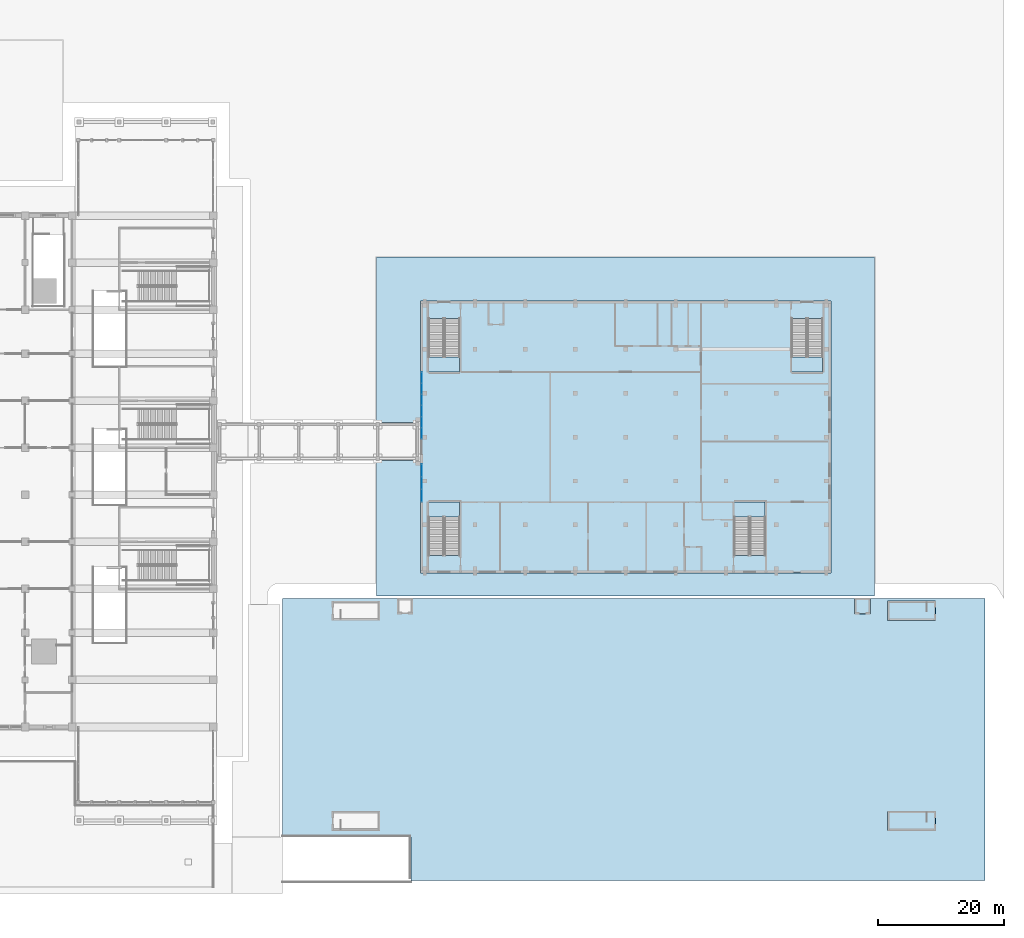
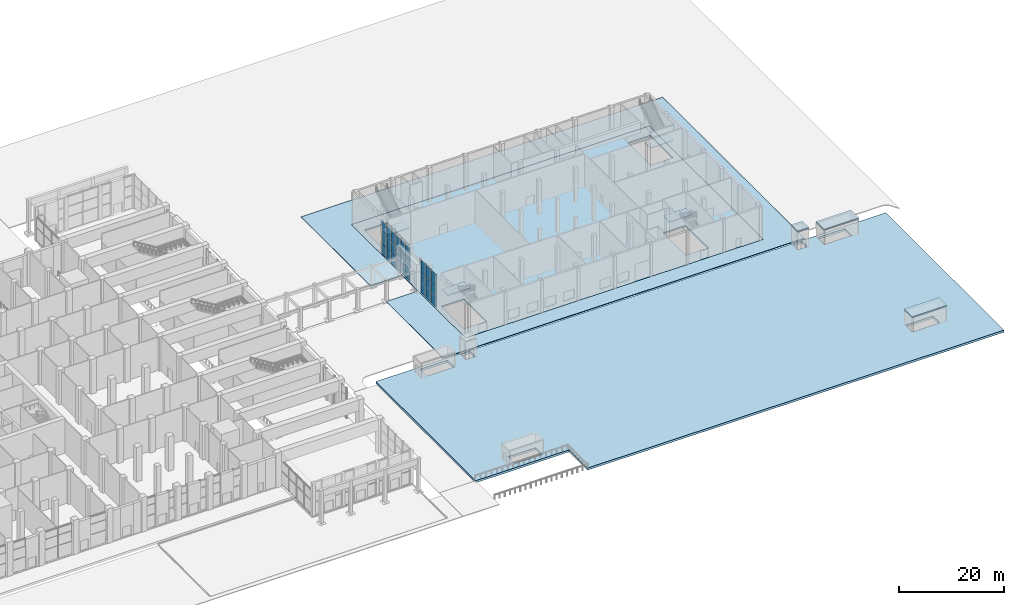
# One storey, part 23 of 57: 27 plates, 10 slabs, 6 elements without a shape of their own.
"""IFC4 building model written with IfcOpenShell, lengths in metres."""

from ifc_helpers import new_model, si_unit, direction, frame, origin, origin_2d, place, context, subcontext, project, spatial, polyline, rectangle, outline, extrude, material, layer, layer_set, type_object, element, aggregate, save


model = new_model("IFC4")

# Units and contexts
model_context = context("Model", 3, precision=1e-05, world=origin(), true_north=direction((0.0, 1.0)))
body_context = subcontext(model_context, "Body", "Model", "MODEL_VIEW")
ifc_project = project(units=[si_unit("LENGTHUNIT", "METRE"), si_unit("AREAUNIT", "SQUARE_METRE"), si_unit("VOLUMEUNIT", "CUBIC_METRE"), si_unit("PLANEANGLEUNIT", "RADIAN"), si_unit("MASSUNIT", "GRAM", prefix="KILO")], contexts=[model_context])

# Site, building, storey
site_placement = place(None, origin())
site = spatial("IfcSite", under=ifc_project, at=site_placement, CompositionType="ELEMENT")
building_placement = place(site_placement, origin())
building = spatial("IfcBuilding", under=site, at=building_placement, Name="Tamorin Gate", CompositionType="ELEMENT")
storey_placement = place(building_placement, origin())
storey = spatial("IfcBuildingStorey", under=building, at=storey_placement, Name="L00", CompositionType="ELEMENT", Elevation=0.0)

# Slabs
ifc_material_1 = material(Name="Concrete C40/50", Category="concrete")
ifc_layer_1 = layer(ifc_material_1, 0.300048828125)
ifc_layer_set_1 = layer_set([ifc_layer_1], Name="Head-house roof slab 300 C40/50")
slab_type_1 = type_object("IfcSlabType", Name="Head-house roof slab 300 C40/50", PredefinedType="ROOF", material=ifc_layer_set_1)
slab_1_placement = place(storey_placement, frame((0.0, 0.0, 3.39990234375)))
element("IfcSlab", 1, at=slab_1_placement, inside=storey, type_object=slab_type_1, Name="Stair head-house roof", PredefinedType="ROOF", context=body_context, shape_type="SweptSolid", body=[
    extrude(outline(polyline([(227.10009765625, 14.0), (227.10009765625, 17.050048828125), (219.43994140625, 17.050048828125), (219.43994140625, 14.0), (227.10009765625, 14.0)])), origin(), (0.0, 0.0, 1.0), 0.300048828125),
])
slab_2_placement = place(storey_placement, frame((0.0, 0.0, 3.39990234375)))
element("IfcSlab", 2, at=slab_2_placement, inside=storey, type_object=slab_type_1, Name="Stair head-house roof", PredefinedType="ROOF", context=body_context, shape_type="SweptSolid", body=[
    extrude(outline(polyline([(227.10009765625, 47.5), (227.10009765625, 50.550048828125), (219.43994140625, 50.550048828125), (219.43994140625, 47.5), (227.10009765625, 47.5)])), origin(), (0.0, 0.0, 1.0), 0.300048828125),
])
slab_3_placement = place(storey_placement, frame((0.0, 0.0, 4.199951171875)))
element("IfcSlab", 3, at=slab_3_placement, inside=storey, type_object=slab_type_1, Name="Lift overrun roof", PredefinedType="ROOF", context=body_context, shape_type="SweptSolid", body=[
    extrude(outline(polyline([(216.699951171875, 48.5), (216.699951171875, 51.0), (214.199951171875, 51.0), (214.199951171875, 48.5), (216.699951171875, 48.5)])), origin(), (0.0, 0.0, 1.0), 0.300048828125),
])

# Curtain wall, plates
ifc_material_2 = material(Name="Aluminium and glass", Category="aluminium")
curtain_wall_type = type_object("IfcCurtainWallType", Name="Museum atrium curtain wall", PredefinedType="NOTDEFINED", material=ifc_material_2)
curtain_wall_1_placement = place(storey_placement, origin())
curtain_wall_1 = element("IfcCurtainWall", 4, at=curtain_wall_1_placement, inside=storey, type_object=curtain_wall_type, Name="Museum atrium glazing", PredefinedType="NOTDEFINED")
ifc_material_3 = material(Name="Laminated glass", Category="glass")
ifc_layer_2 = layer(ifc_material_3, 0.028076171875)
ifc_layer_set_2 = layer_set([ifc_layer_2], Name="Museum glazing panel 28")
plate_type = type_object("IfcPlateType", Name="Museum glazing panel 28", PredefinedType="CURTAIN_PANEL", material=ifc_layer_set_2)
plate_1_placement = place(storey_placement, frame((145.199951171875, 67.356689453125, 0.06005859375), z_axis=(0.0, 0.0, 1.0), x_axis=(0.0, 1.0, 0.0)))
plate_1 = element("IfcPlate", 5, at=plate_1_placement, type_object=plate_type, Name="CWM1 panel 1.1", PredefinedType="CURTAIN_PANEL", context=body_context, shape_type="SweptSolid", body=[
    extrude(rectangle(XDim=1.933349609375, YDim=0.028076171875, at=origin_2d()), origin(), (0.0, 0.0, 1.0), 2.31005859375),
])
plate_2_placement = place(storey_placement, frame((145.199951171875, 67.356689453125, 2.43017578125), z_axis=(0.0, 0.0, 1.0), x_axis=(0.0, 1.0, 0.0)))
plate_2 = element("IfcPlate", 6, at=plate_2_placement, type_object=plate_type, Name="CWM1 panel 1.2", PredefinedType="CURTAIN_PANEL", context=body_context, shape_type="SweptSolid", body=[
    extrude(rectangle(XDim=1.933349609375, YDim=0.028076171875, at=origin_2d()), origin(), (0.0, 0.0, 1.0), 2.340087890625),
])
plate_3_placement = place(storey_placement, frame((145.199951171875, 67.356689453125, 4.830078125), z_axis=(0.0, 0.0, 1.0), x_axis=(0.0, 1.0, 0.0)))
plate_3 = element("IfcPlate", 7, at=plate_3_placement, type_object=plate_type, Name="CWM1 panel 1.3", PredefinedType="CURTAIN_PANEL", context=body_context, shape_type="SweptSolid", body=[
    extrude(rectangle(XDim=1.933349609375, YDim=0.028076171875, at=origin_2d()), origin(), (0.0, 0.0, 1.0), 2.81005859375),
])
plate_4_placement = place(storey_placement, frame((145.199951171875, 69.364990234375, 0.06005859375), z_axis=(0.0, 0.0, 1.0), x_axis=(0.0, 1.0, 0.0)))
plate_4 = element("IfcPlate", 8, at=plate_4_placement, type_object=plate_type, Name="CWM1 panel 2.1", PredefinedType="CURTAIN_PANEL", context=body_context, shape_type="SweptSolid", body=[
    extrude(rectangle(XDim=1.96337890625, YDim=0.028076171875, at=origin_2d()), origin(), (0.0, 0.0, 1.0), 2.31005859375),
])
plate_5_placement = place(storey_placement, frame((145.199951171875, 69.364990234375, 2.43017578125), z_axis=(0.0, 0.0, 1.0), x_axis=(0.0, 1.0, 0.0)))
plate_5 = element("IfcPlate", 9, at=plate_5_placement, type_object=plate_type, Name="CWM1 panel 2.2", PredefinedType="CURTAIN_PANEL", context=body_context, shape_type="SweptSolid", body=[
    extrude(rectangle(XDim=1.96337890625, YDim=0.028076171875, at=origin_2d()), origin(), (0.0, 0.0, 1.0), 2.340087890625),
])
plate_6_placement = place(storey_placement, frame((145.199951171875, 69.364990234375, 4.830078125), z_axis=(0.0, 0.0, 1.0), x_axis=(0.0, 1.0, 0.0)))
plate_6 = element("IfcPlate", 10, at=plate_6_placement, type_object=plate_type, Name="CWM1 panel 2.3", PredefinedType="CURTAIN_PANEL", context=body_context, shape_type="SweptSolid", body=[
    extrude(rectangle(XDim=1.96337890625, YDim=0.028076171875, at=origin_2d()), origin(), (0.0, 0.0, 1.0), 2.81005859375),
])
plate_7_placement = place(storey_placement, frame((145.199951171875, 71.373291015625, 0.06005859375), z_axis=(0.0, 0.0, 1.0), x_axis=(0.0, 1.0, 0.0)))
plate_7 = element("IfcPlate", 11, at=plate_7_placement, type_object=plate_type, Name="CWM1 panel 3.1", PredefinedType="CURTAIN_PANEL", context=body_context, shape_type="SweptSolid", body=[
    extrude(rectangle(XDim=1.933349609375, YDim=0.028076171875, at=origin_2d()), origin(), (0.0, 0.0, 1.0), 2.31005859375),
])
plate_8_placement = place(storey_placement, frame((145.199951171875, 71.373291015625, 2.43017578125), z_axis=(0.0, 0.0, 1.0), x_axis=(0.0, 1.0, 0.0)))
plate_8 = element("IfcPlate", 12, at=plate_8_placement, type_object=plate_type, Name="CWM1 panel 3.2", PredefinedType="CURTAIN_PANEL", context=body_context, shape_type="SweptSolid", body=[
    extrude(rectangle(XDim=1.933349609375, YDim=0.028076171875, at=origin_2d()), origin(), (0.0, 0.0, 1.0), 2.340087890625),
])
plate_9_placement = place(storey_placement, frame((145.199951171875, 71.373291015625, 4.830078125), z_axis=(0.0, 0.0, 1.0), x_axis=(0.0, 1.0, 0.0)))
plate_9 = element("IfcPlate", 13, at=plate_9_placement, type_object=plate_type, Name="CWM1 panel 3.3", PredefinedType="CURTAIN_PANEL", context=body_context, shape_type="SweptSolid", body=[
    extrude(rectangle(XDim=1.933349609375, YDim=0.028076171875, at=origin_2d()), origin(), (0.0, 0.0, 1.0), 2.81005859375),
])
aggregate(curtain_wall_1, [plate_1, plate_2, plate_3, plate_4, plate_5, plate_6, plate_7, plate_8, plate_9])

curtain_wall_2_placement = place(storey_placement, origin())
curtain_wall_2 = element("IfcCurtainWall", 14, at=curtain_wall_2_placement, inside=storey, type_object=curtain_wall_type, Name="Museum atrium glazing", PredefinedType="NOTDEFINED")
plate_10_placement = place(storey_placement, frame((145.199951171875, 77.30419921875, 0.06005859375), z_axis=(0.0, 0.0, 1.0), x_axis=(0.0, 1.0, 0.0)))
plate_10 = element("IfcPlate", 15, at=plate_10_placement, type_object=plate_type, Name="CWM2 panel 1.1", PredefinedType="CURTAIN_PANEL", context=body_context, shape_type="SweptSolid", body=[
    extrude(rectangle(XDim=1.688232421875, YDim=0.028076171875, at=origin_2d()), origin(), (0.0, 0.0, 1.0), 2.31005859375),
])
plate_11_placement = place(storey_placement, frame((145.199951171875, 77.30419921875, 2.43017578125), z_axis=(0.0, 0.0, 1.0), x_axis=(0.0, 1.0, 0.0)))
plate_11 = element("IfcPlate", 16, at=plate_11_placement, type_object=plate_type, Name="CWM2 panel 1.2", PredefinedType="CURTAIN_PANEL", context=body_context, shape_type="SweptSolid", body=[
    extrude(rectangle(XDim=1.688232421875, YDim=0.028076171875, at=origin_2d()), origin(), (0.0, 0.0, 1.0), 2.340087890625),
])
plate_12_placement = place(storey_placement, frame((145.199951171875, 77.30419921875, 4.830078125), z_axis=(0.0, 0.0, 1.0), x_axis=(0.0, 1.0, 0.0)))
plate_12 = element("IfcPlate", 17, at=plate_12_placement, type_object=plate_type, Name="CWM2 panel 1.3", PredefinedType="CURTAIN_PANEL", context=body_context, shape_type="SweptSolid", body=[
    extrude(rectangle(XDim=1.688232421875, YDim=0.028076171875, at=origin_2d()), origin(), (0.0, 0.0, 1.0), 2.81005859375),
])
plate_13_placement = place(storey_placement, frame((145.199951171875, 79.0673828125, 0.06005859375), z_axis=(0.0, 0.0, 1.0), x_axis=(0.0, 1.0, 0.0)))
plate_13 = element("IfcPlate", 18, at=plate_13_placement, type_object=plate_type, Name="CWM2 panel 2.1", PredefinedType="CURTAIN_PANEL", context=body_context, shape_type="SweptSolid", body=[
    extrude(rectangle(XDim=1.71826171875, YDim=0.028076171875, at=origin_2d()), origin(), (0.0, 0.0, 1.0), 2.31005859375),
])
plate_14_placement = place(storey_placement, frame((145.199951171875, 79.0673828125, 2.43017578125), z_axis=(0.0, 0.0, 1.0), x_axis=(0.0, 1.0, 0.0)))
plate_14 = element("IfcPlate", 19, at=plate_14_placement, type_object=plate_type, Name="CWM2 panel 2.2", PredefinedType="CURTAIN_PANEL", context=body_context, shape_type="SweptSolid", body=[
    extrude(rectangle(XDim=1.71826171875, YDim=0.028076171875, at=origin_2d()), origin(), (0.0, 0.0, 1.0), 2.340087890625),
])
plate_15_placement = place(storey_placement, frame((145.199951171875, 79.0673828125, 4.830078125), z_axis=(0.0, 0.0, 1.0), x_axis=(0.0, 1.0, 0.0)))
plate_15 = element("IfcPlate", 20, at=plate_15_placement, type_object=plate_type, Name="CWM2 panel 2.3", PredefinedType="CURTAIN_PANEL", context=body_context, shape_type="SweptSolid", body=[
    extrude(rectangle(XDim=1.71826171875, YDim=0.028076171875, at=origin_2d()), origin(), (0.0, 0.0, 1.0), 2.81005859375),
])
plate_16_placement = place(storey_placement, frame((145.199951171875, 80.845947265625, 0.06005859375), z_axis=(0.0, 0.0, 1.0), x_axis=(0.0, 1.0, 0.0)))
plate_16 = element("IfcPlate", 21, at=plate_16_placement, type_object=plate_type, Name="CWM2 panel 3.1", PredefinedType="CURTAIN_PANEL", context=body_context, shape_type="SweptSolid", body=[
    extrude(rectangle(XDim=1.71826171875, YDim=0.028076171875, at=origin_2d()), origin(), (0.0, 0.0, 1.0), 2.31005859375),
])
plate_17_placement = place(storey_placement, frame((145.199951171875, 80.845947265625, 2.43017578125), z_axis=(0.0, 0.0, 1.0), x_axis=(0.0, 1.0, 0.0)))
plate_17 = element("IfcPlate", 22, at=plate_17_placement, type_object=plate_type, Name="CWM2 panel 3.2", PredefinedType="CURTAIN_PANEL", context=body_context, shape_type="SweptSolid", body=[
    extrude(rectangle(XDim=1.71826171875, YDim=0.028076171875, at=origin_2d()), origin(), (0.0, 0.0, 1.0), 2.340087890625),
])
plate_18_placement = place(storey_placement, frame((145.199951171875, 80.845947265625, 4.830078125), z_axis=(0.0, 0.0, 1.0), x_axis=(0.0, 1.0, 0.0)))
plate_18 = element("IfcPlate", 23, at=plate_18_placement, type_object=plate_type, Name="CWM2 panel 3.3", PredefinedType="CURTAIN_PANEL", context=body_context, shape_type="SweptSolid", body=[
    extrude(rectangle(XDim=1.71826171875, YDim=0.028076171875, at=origin_2d()), origin(), (0.0, 0.0, 1.0), 2.81005859375),
])
plate_19_placement = place(storey_placement, frame((145.199951171875, 82.624267578125, 0.06005859375), z_axis=(0.0, 0.0, 1.0), x_axis=(0.0, 1.0, 0.0)))
plate_19 = element("IfcPlate", 24, at=plate_19_placement, type_object=plate_type, Name="CWM2 panel 4.1", PredefinedType="CURTAIN_PANEL", context=body_context, shape_type="SweptSolid", body=[
    extrude(rectangle(XDim=1.71826171875, YDim=0.028076171875, at=origin_2d()), origin(), (0.0, 0.0, 1.0), 2.31005859375),
])
plate_20_placement = place(storey_placement, frame((145.199951171875, 82.624267578125, 2.43017578125), z_axis=(0.0, 0.0, 1.0), x_axis=(0.0, 1.0, 0.0)))
plate_20 = element("IfcPlate", 25, at=plate_20_placement, type_object=plate_type, Name="CWM2 panel 4.2", PredefinedType="CURTAIN_PANEL", context=body_context, shape_type="SweptSolid", body=[
    extrude(rectangle(XDim=1.71826171875, YDim=0.028076171875, at=origin_2d()), origin(), (0.0, 0.0, 1.0), 2.340087890625),
])
plate_21_placement = place(storey_placement, frame((145.199951171875, 82.624267578125, 4.830078125), z_axis=(0.0, 0.0, 1.0), x_axis=(0.0, 1.0, 0.0)))
plate_21 = element("IfcPlate", 26, at=plate_21_placement, type_object=plate_type, Name="CWM2 panel 4.3", PredefinedType="CURTAIN_PANEL", context=body_context, shape_type="SweptSolid", body=[
    extrude(rectangle(XDim=1.71826171875, YDim=0.028076171875, at=origin_2d()), origin(), (0.0, 0.0, 1.0), 2.81005859375),
])
plate_22_placement = place(storey_placement, frame((145.199951171875, 84.402587890625, 0.06005859375), z_axis=(0.0, 0.0, 1.0), x_axis=(0.0, 1.0, 0.0)))
plate_22 = element("IfcPlate", 27, at=plate_22_placement, type_object=plate_type, Name="CWM2 panel 5.1", PredefinedType="CURTAIN_PANEL", context=body_context, shape_type="SweptSolid", body=[
    extrude(rectangle(XDim=1.71826171875, YDim=0.028076171875, at=origin_2d()), origin(), (0.0, 0.0, 1.0), 2.31005859375),
])
plate_23_placement = place(storey_placement, frame((145.199951171875, 84.402587890625, 2.43017578125), z_axis=(0.0, 0.0, 1.0), x_axis=(0.0, 1.0, 0.0)))
plate_23 = element("IfcPlate", 28, at=plate_23_placement, type_object=plate_type, Name="CWM2 panel 5.2", PredefinedType="CURTAIN_PANEL", context=body_context, shape_type="SweptSolid", body=[
    extrude(rectangle(XDim=1.71826171875, YDim=0.028076171875, at=origin_2d()), origin(), (0.0, 0.0, 1.0), 2.340087890625),
])
plate_24_placement = place(storey_placement, frame((145.199951171875, 84.402587890625, 4.830078125), z_axis=(0.0, 0.0, 1.0), x_axis=(0.0, 1.0, 0.0)))
plate_24 = element("IfcPlate", 29, at=plate_24_placement, type_object=plate_type, Name="CWM2 panel 5.3", PredefinedType="CURTAIN_PANEL", context=body_context, shape_type="SweptSolid", body=[
    extrude(rectangle(XDim=1.71826171875, YDim=0.028076171875, at=origin_2d()), origin(), (0.0, 0.0, 1.0), 2.81005859375),
])
plate_25_placement = place(storey_placement, frame((145.199951171875, 86.165771484375, 0.06005859375), z_axis=(0.0, 0.0, 1.0), x_axis=(0.0, 1.0, 0.0)))
plate_25 = element("IfcPlate", 30, at=plate_25_placement, type_object=plate_type, Name="CWM2 panel 6.1", PredefinedType="CURTAIN_PANEL", context=body_context, shape_type="SweptSolid", body=[
    extrude(rectangle(XDim=1.688232421875, YDim=0.028076171875, at=origin_2d()), origin(), (0.0, 0.0, 1.0), 2.31005859375),
])
plate_26_placement = place(storey_placement, frame((145.199951171875, 86.165771484375, 2.43017578125), z_axis=(0.0, 0.0, 1.0), x_axis=(0.0, 1.0, 0.0)))
plate_26 = element("IfcPlate", 31, at=plate_26_placement, type_object=plate_type, Name="CWM2 panel 6.2", PredefinedType="CURTAIN_PANEL", context=body_context, shape_type="SweptSolid", body=[
    extrude(rectangle(XDim=1.688232421875, YDim=0.028076171875, at=origin_2d()), origin(), (0.0, 0.0, 1.0), 2.340087890625),
])
plate_27_placement = place(storey_placement, frame((145.199951171875, 86.165771484375, 4.830078125), z_axis=(0.0, 0.0, 1.0), x_axis=(0.0, 1.0, 0.0)))
plate_27 = element("IfcPlate", 32, at=plate_27_placement, type_object=plate_type, Name="CWM2 panel 6.3", PredefinedType="CURTAIN_PANEL", context=body_context, shape_type="SweptSolid", body=[
    extrude(rectangle(XDim=1.688232421875, YDim=0.028076171875, at=origin_2d()), origin(), (0.0, 0.0, 1.0), 2.81005859375),
])
aggregate(curtain_wall_2, [plate_10, plate_11, plate_12, plate_13, plate_14, plate_15, plate_16, plate_17, plate_18, plate_19, plate_20, plate_21, plate_22, plate_23, plate_24, plate_25, plate_26, plate_27])

# Slab
ifc_layer_3 = layer(ifc_material_1, 0.35009765625)
ifc_layer_set_3 = layer_set([ifc_layer_3], Name="Museum ground floor slab 350 C40/50")
slab_type_2 = type_object("IfcSlabType", Name="Museum ground floor slab 350 C40/50", PredefinedType="FLOOR", material=ifc_layer_set_3)
slab_4_placement = place(storey_placement, frame((0.0, 0.0, -0.35009765625)))
element("IfcSlab", 33, at=slab_4_placement, inside=storey, type_object=slab_type_2, Name="Museum floor slab", PredefinedType="FLOOR", context=body_context, shape_type="SweptSolid", body=[
    extrude(outline(polyline([(145.0, 55.0), (145.0, 98.39990234375), (210.39990234375, 98.39990234375), (210.39990234375, 55.0), (145.0, 55.0)]), holes=[polyline([(146.300537109375, 57.800537109375), (151.24951171875, 57.800537109375), (151.24951171875, 66.359375), (146.300537109375, 66.359375), (146.300537109375, 57.800537109375)]), polyline([(195.00048828125, 57.800537109375), (199.949462890625, 57.800537109375), (199.949462890625, 66.359375), (195.00048828125, 66.359375), (195.00048828125, 57.800537109375)]), polyline([(151.24951171875, 95.599365234375), (146.300537109375, 95.599365234375), (146.300537109375, 87.04052734375), (151.24951171875, 87.04052734375), (151.24951171875, 95.599365234375)]), polyline([(209.099365234375, 95.599365234375), (204.150634765625, 95.599365234375), (204.150634765625, 87.04052734375), (209.099365234375, 87.04052734375), (209.099365234375, 95.599365234375)])]), origin(), (0.0, 0.0, 1.0), 0.35009765625),
])

# Stair, slab
stair_type = type_object("IfcStairType", Name="Museum exit stair 2400 C40/50", PredefinedType="HALF_TURN_STAIR", material=ifc_material_1)
stair_1_placement = place(storey_placement, origin())
stair_1 = element("IfcStair", 34, at=stair_1_placement, inside=storey, type_object=stair_type, Name="L00 PS6", PredefinedType="HALF_TURN_STAIR")
ifc_layer_4 = layer(ifc_material_1, 0.199951171875)
ifc_layer_set_4 = layer_set([ifc_layer_4], Name="Museum stair landing slab 200 C40/50")
slab_type_3 = type_object("IfcSlabType", Name="Museum stair landing slab 200 C40/50", PredefinedType="LANDING", material=ifc_layer_set_4)
slab_5_placement = place(storey_placement, frame((0.0, 0.0, 3.800048828125)))
slab_5 = element("IfcSlab", 35, at=slab_5_placement, type_object=slab_type_3, Name="PS6 landing 1", PredefinedType="LANDING", context=body_context, shape_type="SweptSolid", body=[
    extrude(outline(polyline([(146.300048828125, 89.43994140625), (146.300048828125, 87.0400390625), (151.25, 87.0400390625), (151.25, 89.43994140625), (146.300048828125, 89.43994140625)])), origin(), (0.0, 0.0, 1.0), 0.199951171875),
])
aggregate(stair_1, [slab_5])

stair_2_placement = place(storey_placement, origin())
stair_2 = element("IfcStair", 36, at=stair_2_placement, inside=storey, type_object=stair_type, Name="L00 PS7", PredefinedType="HALF_TURN_STAIR")
slab_6_placement = place(storey_placement, frame((0.0, 0.0, 3.800048828125)))
slab_6 = element("IfcSlab", 37, at=slab_6_placement, type_object=slab_type_3, Name="PS7 landing 1", PredefinedType="LANDING", context=body_context, shape_type="SweptSolid", body=[
    extrude(outline(polyline([(199.949951171875, 63.9599609375), (199.949951171875, 66.360107421875), (195.0, 66.360107421875), (195.0, 63.9599609375), (199.949951171875, 63.9599609375)])), origin(), (0.0, 0.0, 1.0), 0.199951171875),
])
aggregate(stair_2, [slab_6])

stair_3_placement = place(storey_placement, origin())
stair_3 = element("IfcStair", 38, at=stair_3_placement, inside=storey, type_object=stair_type, Name="L00 PS8", PredefinedType="HALF_TURN_STAIR")
slab_7_placement = place(storey_placement, frame((0.0, 0.0, 3.800048828125)))
slab_7 = element("IfcSlab", 39, at=slab_7_placement, type_object=slab_type_3, Name="PS8 landing 1", PredefinedType="LANDING", context=body_context, shape_type="SweptSolid", body=[
    extrude(outline(polyline([(151.25, 63.9599609375), (151.25, 66.360107421875), (146.300048828125, 66.360107421875), (146.300048828125, 63.9599609375), (151.25, 63.9599609375)])), origin(), (0.0, 0.0, 1.0), 0.199951171875),
])
aggregate(stair_3, [slab_7])

stair_4_placement = place(storey_placement, origin())
stair_4 = element("IfcStair", 40, at=stair_4_placement, inside=storey, type_object=stair_type, Name="L00 PS9", PredefinedType="HALF_TURN_STAIR")
slab_8_placement = place(storey_placement, frame((0.0, 0.0, 3.800048828125)))
slab_8 = element("IfcSlab", 41, at=slab_8_placement, type_object=slab_type_3, Name="PS9 landing 1", PredefinedType="LANDING", context=body_context, shape_type="SweptSolid", body=[
    extrude(outline(polyline([(204.14990234375, 89.43994140625), (204.14990234375, 87.0400390625), (209.10009765625, 87.0400390625), (209.10009765625, 89.43994140625), (204.14990234375, 89.43994140625)])), origin(), (0.0, 0.0, 1.0), 0.199951171875),
])
aggregate(stair_4, [slab_8])

# Slabs
ifc_material_4 = material(Name="Concrete C30/37", Category="concrete")
ifc_layer_5 = layer(ifc_material_4, 0.199951171875)
ifc_layer_set_5 = layer_set([ifc_layer_5], Name="Paving slab 200 C30/37")
slab_type_4 = type_object("IfcSlabType", Name="Paving slab 200 C30/37", PredefinedType="BASESLAB", material=ifc_layer_set_5)
slab_9_placement = place(storey_placement, frame((0.0, 0.0, -0.199951171875)))
element("IfcSlab", 42, at=slab_9_placement, inside=storey, type_object=slab_type_4, Name="Museum forecourt paving", PredefinedType="BASESLAB", context=body_context, shape_type="SweptSolid", body=[
    extrude(outline(polyline([(138.0, 51.39990234375), (138.0, 73.0), (144.89990234375, 73.0), (144.89990234375, 79.0), (138.0, 79.0), (138.0, 105.39990234375), (217.39990234375, 105.39990234375), (217.39990234375, 51.39990234375), (138.0, 51.39990234375)]), holes=[polyline([(210.39990234375, 55.0), (210.39990234375, 98.39990234375), (145.0, 98.39990234375), (145.0, 55.0), (210.39990234375, 55.0)])]), origin(), (0.0, 0.0, 1.0), 0.199951171875),
])
ifc_layer_6 = layer(ifc_material_1, 0.5)
ifc_layer_set_6 = layer_set([ifc_layer_6], Name="Plaza deck slab 500 C40/50")
slab_type_5 = type_object("IfcSlabType", Name="Plaza deck slab 500 C40/50", PredefinedType="FLOOR", material=ifc_layer_set_6)
slab_10_placement = place(storey_placement, frame((0.0, 0.0, -0.5)))
element("IfcSlab", 43, at=slab_10_placement, inside=storey, type_object=slab_type_5, Name="Plaza deck over car park", PredefinedType="FLOOR", context=body_context, shape_type="SweptSolid", body=[
    extrude(outline(polyline([(123.0, 51.0), (235.0, 51.0), (235.0, 6.0), (143.5, 6.0), (143.5, 13.0), (123.0, 13.0), (123.0, 51.0)]), holes=[polyline([(138.309326171875, 16.79931640625), (132.3505859375, 16.79931640625), (132.3505859375, 14.25048828125), (138.309326171875, 14.25048828125), (138.309326171875, 16.79931640625)]), polyline([(219.690673828125, 14.25048828125), (225.6494140625, 14.25048828125), (225.6494140625, 16.79931640625), (219.690673828125, 16.79931640625), (219.690673828125, 14.25048828125)]), polyline([(138.309326171875, 50.29931640625), (132.3505859375, 50.29931640625), (132.3505859375, 47.75048828125), (138.309326171875, 47.75048828125), (138.309326171875, 50.29931640625)]), polyline([(219.690673828125, 47.75048828125), (225.6494140625, 47.75048828125), (225.6494140625, 50.29931640625), (219.690673828125, 50.29931640625), (219.690673828125, 47.75048828125)]), polyline([(141.550048828125, 50.75), (141.550048828125, 48.75), (143.550048828125, 48.75), (143.550048828125, 50.75), (141.550048828125, 50.75)]), polyline([(214.449951171875, 50.75), (214.449951171875, 48.75), (216.449951171875, 48.75), (216.449951171875, 50.75), (214.449951171875, 50.75)])]), origin(), (0.0, 0.0, 1.0), 0.5),
])

save(model, "model.ifc")
